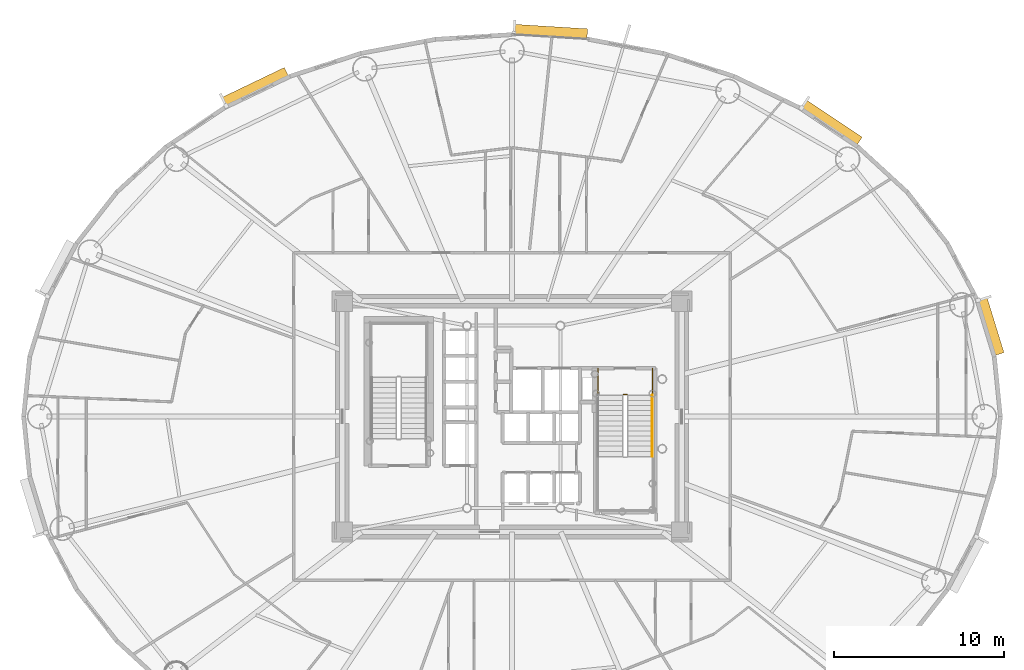
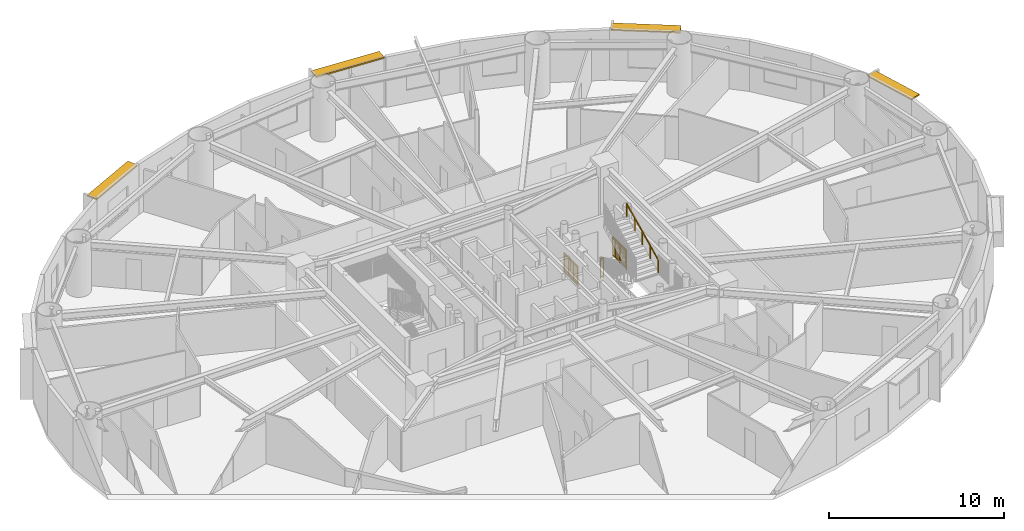
# One storey, part 18 of 18: 4 railings, 4 shading devices.
"""IFC4 building model written with IfcOpenShell, lengths in metres."""

from ifc_helpers import new_model, si_unit, direction, frame, origin, origin_2d, place, context, subcontext, project, spatial, rectangle, extrude, source, transform, mapped, material, layer, layer_set, type_object, element, save


model = new_model("IFC4")

# Units and contexts
model_context = context("Model", 3, precision=1e-05, world=origin(), true_north=direction((0.0, 1.0)))
body_context = subcontext(model_context, "Body", "Model", "MODEL_VIEW")
ifc_project = project(units=[si_unit("LENGTHUNIT", "METRE"), si_unit("AREAUNIT", "SQUARE_METRE"), si_unit("VOLUMEUNIT", "CUBIC_METRE"), si_unit("PLANEANGLEUNIT", "RADIAN"), si_unit("MASSUNIT", "GRAM", prefix="KILO")], contexts=[model_context])

# Site, building, storey
site_placement = place(None, origin())
site = spatial("IfcSite", under=ifc_project, at=site_placement, CompositionType="ELEMENT")
building_placement = place(site_placement, origin())
building = spatial("IfcBuilding", under=site, at=building_placement, Name="Linh Dai School and Residence Tower", CompositionType="ELEMENT")
storey_placement = place(building_placement, frame((0.0, 0.0, 123.449951171875)))
storey = spatial("IfcBuildingStorey", under=building, at=storey_placement, Name="L29", CompositionType="ELEMENT", Elevation=123.449951171875)

# Shading devices
ifc_material_1 = material(Name="Terracotta Ceramic Sunshade", Category="masonry")
ifc_layer = layer(ifc_material_1, 0.10009765625)
ifc_layer_set = layer_set([ifc_layer], Name="Terracotta Ceramic Sunshade")
shading_device_type = type_object("IfcShadingDeviceType", Name="SHD-TC-650", PredefinedType="USERDEFINED", material=ifc_layer_set)
shared_shape_1 = source(origin(), body_context, "Body", "SweptSolid", [
    extrude(rectangle(XDim=3.44384765625, YDim=0.64990234375, at=origin_2d()), origin(), (0.0, 0.0, 1.0), 0.10009765625),
])
shading_device_1_placement = place(storey_placement, frame((64.16845703125, 32.313720703125, 3.3798828125), z_axis=(0.0, 0.0, 1.0), x_axis=(0.293133528962, -0.956071511028, 0.0)))
element("IfcShadingDevice", 1, at=shading_device_1_placement, inside=storey, type_object=shading_device_type, Name="L29 Terracotta Horizontal Sunshade Band 02", ObjectType="SUNSHADE", PredefinedType="USERDEFINED", context=body_context, shape_type="MappedRepresentation", body=[
    mapped(shared_shape_1, transform((0.0, 0.0, 0.0), x_axis=(1.0, 0.0, 0.0), y_axis=(0.0, 1.0, 0.0), z_axis=(0.0, 0.0, 1.0), scale=1.0)),
])
shared_shape_2 = source(origin(), body_context, "Body", "SweptSolid", [
    extrude(rectangle(XDim=3.96484375, YDim=0.64990234375, at=origin_2d()), origin(), (0.0, 0.0, 1.0), 0.10009765625),
])
shading_device_2_placement = place(storey_placement, frame((54.80029296875, 44.288330078125, 3.3798828125), z_axis=(0.0, 0.0, 1.0), x_axis=(0.831240347736, -0.555913198527, 0.0)))
element("IfcShadingDevice", 2, at=shading_device_2_placement, inside=storey, type_object=shading_device_type, Name="L29 Terracotta Horizontal Sunshade Band 06", ObjectType="SUNSHADE", PredefinedType="USERDEFINED", context=body_context, shape_type="MappedRepresentation", body=[
    mapped(shared_shape_2, transform((0.0, 0.0, 0.0), x_axis=(1.0, 0.0, 0.0), y_axis=(0.0, 1.0, 0.0), z_axis=(0.0, 0.0, 1.0), scale=1.0)),
])
shared_shape_3 = source(origin(), body_context, "Body", "SweptSolid", [
    extrude(rectangle(XDim=4.33349609375, YDim=0.64990234375, at=origin_2d()), origin(), (0.0, 0.0, 1.0), 0.10009765625),
])
shading_device_3_placement = place(storey_placement, frame((38.270263671875, 49.650634765625, 3.3798828125), z_axis=(0.0, 0.0, 1.0), x_axis=(0.998106513123, -0.061509255091, 0.0)))
element("IfcShadingDevice", 3, at=shading_device_3_placement, inside=storey, type_object=shading_device_type, Name="L29 Terracotta Horizontal Sunshade Band 10", ObjectType="SUNSHADE", PredefinedType="USERDEFINED", context=body_context, shape_type="MappedRepresentation", body=[
    mapped(shared_shape_3, transform((0.0, 0.0, 0.0), x_axis=(1.0, 0.0, 0.0), y_axis=(0.0, 1.0, 0.0), z_axis=(0.0, 0.0, 1.0), scale=1.0)),
])
shared_shape_4 = source(origin(), body_context, "Body", "SweptSolid", [
    extrude(rectangle(XDim=4.1005859375, YDim=0.64990234375, at=origin_2d()), origin(), (0.0, 0.0, 1.0), 0.10009765625),
])
shading_device_4_placement = place(storey_placement, frame((20.877197265625, 46.38037109375, 3.3798828125), z_axis=(0.0, 0.0, 1.0), x_axis=(0.901577518371, 0.432617589064, 0.0)))
element("IfcShadingDevice", 4, at=shading_device_4_placement, inside=storey, type_object=shading_device_type, Name="L29 Terracotta Horizontal Sunshade Band 14", ObjectType="SUNSHADE", PredefinedType="USERDEFINED", context=body_context, shape_type="MappedRepresentation", body=[
    mapped(shared_shape_4, transform((0.0, 0.0, 0.0), x_axis=(1.0, 0.0, 0.0), y_axis=(0.0, 1.0, 0.0), z_axis=(0.0, 0.0, 1.0), scale=1.0)),
])

# Railings
ifc_material_2 = material(Name="Brushed Stainless Steel Handrail", Category="steel")
railing_type_1 = type_object("IfcRailingType", Name="RL-ST-HANDRAIL-900", PredefinedType="HANDRAIL", material=ifc_material_2)
shared_shape_5 = source(origin(), body_context, "Body", "SweptSolid", [
    extrude(rectangle(XDim=0.048095703125, YDim=0.048095703125, at=origin_2d()), frame((0.0, 0.0, 0.8759765625), z_axis=(0.0, 0.901262522062, 0.433273431364), x_axis=(-1.0, 0.0, 0.0)), (0.0, 0.0, 1.0), 3.994384765625),
    extrude(rectangle(XDim=0.0419921875, YDim=0.0419921875, at=origin_2d()), origin(), (0.0, 0.0, 1.0), 0.8759765625),
    extrude(rectangle(XDim=0.0419921875, YDim=0.0419921875, at=origin_2d()), frame((0.0, 0.89990234375, 0.4326171875)), (0.0, 0.0, 1.0), 0.8759765625),
    extrude(rectangle(XDim=0.0419921875, YDim=0.0419921875, at=origin_2d()), frame((0.0, 1.800048828125, 0.865234375)), (0.0, 0.0, 1.0), 0.8759765625),
    extrude(rectangle(XDim=0.0419921875, YDim=0.0419921875, at=origin_2d()), frame((0.0, 2.7001953125, 1.298095703125)), (0.0, 0.0, 1.0), 0.8759765625),
    extrude(rectangle(XDim=0.0419921875, YDim=0.0419921875, at=origin_2d()), frame((0.0, 3.60009765625, 1.730712890625)), (0.0, 0.0, 1.0), 0.8759765625),
])
railing_1_placement = place(storey_placement, frame((44.27001953125, 24.64990234375, 2.019287109375)))
element("IfcRailing", 5, at=railing_1_placement, inside=storey, type_object=railing_type_1, Name="L29 ST2 stair handrail 2", PredefinedType="HANDRAIL", context=body_context, shape_type="MappedRepresentation", body=[
    mapped(shared_shape_5, transform((0.0, 0.0, 0.0), x_axis=(1.0, 0.0, 0.0), y_axis=(0.0, 1.0, 0.0), z_axis=(0.0, 0.0, 1.0), scale=1.0)),
])
ifc_material_3 = material(Name="Structural Steel S355JR", Category="steel")
railing_type_2 = type_object("IfcRailingType", Name="RL-ST-GUARD-1400", PredefinedType="GUARDRAIL", material=ifc_material_3)
shared_shape_6 = source(origin(), body_context, "Body", "SweptSolid", [
    extrude(rectangle(XDim=0.048095703125, YDim=0.048095703125, at=origin_2d()), frame((0.0, 0.0, 1.3759765625), z_axis=(1.0, 0.0, 0.0), x_axis=(0.0, 1.0, 0.0)), (0.0, 0.0, 1.0), 0.199951171875),
    extrude(rectangle(XDim=0.048095703125, YDim=0.048095703125, at=origin_2d()), frame((0.0, 0.0, 0.10009765625), z_axis=(1.0, 0.0, 0.0), x_axis=(0.0, 1.0, 0.0)), (0.0, 0.0, 1.0), 0.199951171875),
    extrude(rectangle(XDim=0.030029296875, YDim=0.030029296875, at=origin_2d()), frame((0.0, 0.0, 1.239990234375), z_axis=(1.0, 0.0, 0.0), x_axis=(0.0, 1.0, 0.0)), (0.0, 0.0, 1.0), 0.199951171875),
    extrude(rectangle(XDim=0.0419921875, YDim=0.0419921875, at=origin_2d()), origin(), (0.0, 0.0, 1.0), 1.3759765625),
    extrude(rectangle(XDim=0.0419921875, YDim=0.0419921875, at=origin_2d()), frame((0.199951171875, 0.0, 0.0)), (0.0, 0.0, 1.0), 1.3759765625),
])
railing_2_placement = place(storey_placement, frame((42.570068359375, 28.300048828125, 0.0)))
element("IfcRailing", 6, at=railing_2_placement, inside=storey, type_object=railing_type_2, Name="L29 ST2 stair guard 7", PredefinedType="GUARDRAIL", context=body_context, shape_type="MappedRepresentation", body=[
    mapped(shared_shape_6, transform((0.0, 0.0, 0.0), x_axis=(1.0, 0.0, 0.0), y_axis=(0.0, 1.0, 0.0), z_axis=(0.0, 0.0, 1.0), scale=1.0)),
])
shared_shape_7 = source(origin(), body_context, "Body", "SweptSolid", [
    extrude(rectangle(XDim=0.048095703125, YDim=0.048095703125, at=origin_2d()), frame((0.0, 0.0, 1.3759765625), z_axis=(0.0, -1.0, 0.0), x_axis=(1.0, 0.0, 0.0)), (0.0, 0.0, 1.0), 1.60009765625),
    extrude(rectangle(XDim=0.048095703125, YDim=0.048095703125, at=origin_2d()), frame((0.0, 0.0, 0.10009765625), z_axis=(0.0, -1.0, 0.0), x_axis=(1.0, 0.0, 0.0)), (0.0, 0.0, 1.0), 1.60009765625),
    extrude(rectangle(XDim=0.030029296875, YDim=0.030029296875, at=origin_2d()), frame((0.0, 0.0, 1.239990234375), z_axis=(0.0, -1.0, 0.0), x_axis=(1.0, 0.0, 0.0)), (0.0, 0.0, 1.0), 1.60009765625),
    extrude(rectangle(XDim=0.02001953125, YDim=0.02001953125, at=origin_2d()), frame((0.0, -0.09423828125, 0.10009765625)), (0.0, 0.0, 1.0), 1.251708984375),
    extrude(rectangle(XDim=0.02001953125, YDim=0.02001953125, at=origin_2d()), frame((0.0, -0.188232421875, 0.10009765625)), (0.0, 0.0, 1.0), 1.251708984375),
    extrude(rectangle(XDim=0.02001953125, YDim=0.02001953125, at=origin_2d()), frame((0.0, -0.282470703125, 0.10009765625)), (0.0, 0.0, 1.0), 1.251708984375),
    extrude(rectangle(XDim=0.02001953125, YDim=0.02001953125, at=origin_2d()), frame((0.0, -0.37646484375, 0.10009765625)), (0.0, 0.0, 1.0), 1.251708984375),
    extrude(rectangle(XDim=0.02001953125, YDim=0.02001953125, at=origin_2d()), frame((0.0, -0.470703125, 0.10009765625)), (0.0, 0.0, 1.0), 1.251708984375),
    extrude(rectangle(XDim=0.02001953125, YDim=0.02001953125, at=origin_2d()), frame((0.0, -0.564697265625, 0.10009765625)), (0.0, 0.0, 1.0), 1.251708984375),
    extrude(rectangle(XDim=0.02001953125, YDim=0.02001953125, at=origin_2d()), frame((0.0, -0.658935546875, 0.10009765625)), (0.0, 0.0, 1.0), 1.251708984375),
    extrude(rectangle(XDim=0.02001953125, YDim=0.02001953125, at=origin_2d()), frame((0.0, -0.7529296875, 0.10009765625)), (0.0, 0.0, 1.0), 1.251708984375),
    extrude(rectangle(XDim=0.02001953125, YDim=0.02001953125, at=origin_2d()), frame((0.0, -0.84716796875, 0.10009765625)), (0.0, 0.0, 1.0), 1.251708984375),
    extrude(rectangle(XDim=0.02001953125, YDim=0.02001953125, at=origin_2d()), frame((0.0, -0.941162109375, 0.10009765625)), (0.0, 0.0, 1.0), 1.251708984375),
    extrude(rectangle(XDim=0.02001953125, YDim=0.02001953125, at=origin_2d()), frame((0.0, -1.035400390625, 0.10009765625)), (0.0, 0.0, 1.0), 1.251708984375),
    extrude(rectangle(XDim=0.02001953125, YDim=0.02001953125, at=origin_2d()), frame((0.0, -1.12939453125, 0.10009765625)), (0.0, 0.0, 1.0), 1.251708984375),
    extrude(rectangle(XDim=0.02001953125, YDim=0.02001953125, at=origin_2d()), frame((0.0, -1.2236328125, 0.10009765625)), (0.0, 0.0, 1.0), 1.251708984375),
    extrude(rectangle(XDim=0.02001953125, YDim=0.02001953125, at=origin_2d()), frame((0.0, -1.317626953125, 0.10009765625)), (0.0, 0.0, 1.0), 1.251708984375),
    extrude(rectangle(XDim=0.02001953125, YDim=0.02001953125, at=origin_2d()), frame((0.0, -1.411865234375, 0.10009765625)), (0.0, 0.0, 1.0), 1.251708984375),
    extrude(rectangle(XDim=0.02001953125, YDim=0.02001953125, at=origin_2d()), frame((0.0, -1.505859375, 0.10009765625)), (0.0, 0.0, 1.0), 1.251708984375),
    extrude(rectangle(XDim=0.0419921875, YDim=0.0419921875, at=origin_2d()), origin(), (0.0, 0.0, 1.0), 1.3759765625),
    extrude(rectangle(XDim=0.0419921875, YDim=0.0419921875, at=origin_2d()), frame((0.0, -0.800048828125, 0.0)), (0.0, 0.0, 1.0), 1.3759765625),
    extrude(rectangle(XDim=0.0419921875, YDim=0.0419921875, at=origin_2d()), frame((0.0, -1.60009765625, 0.0)), (0.0, 0.0, 1.0), 1.3759765625),
])
for number, where, name in (
    (7, (41.070068359375, 29.85009765625, 0.0), "L29 ST2 stair guard 8"),
    (8, (44.27001953125, 29.85009765625, 0.0), "L29 ST2 stair guard 9"),
):
    element("IfcRailing", number, at=place(storey_placement, frame(where)), inside=storey, type_object=railing_type_2, Name=name, PredefinedType="GUARDRAIL", context=body_context, shape_type="MappedRepresentation", body=[
        mapped(shared_shape_7, transform((0.0, 0.0, 0.0), x_axis=(1.0, 0.0, 0.0), y_axis=(0.0, 1.0, 0.0), z_axis=(0.0, 0.0, 1.0), scale=1.0)),
    ])

save(model, "model.ifc")
